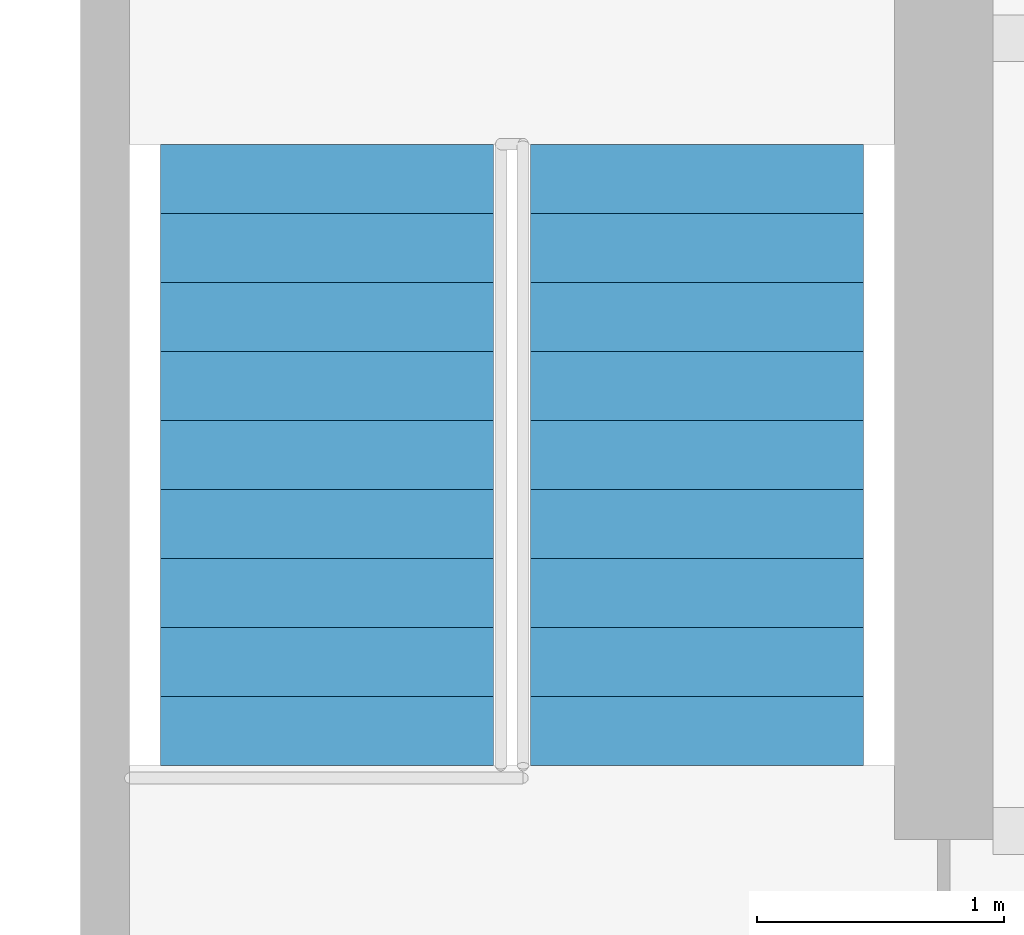
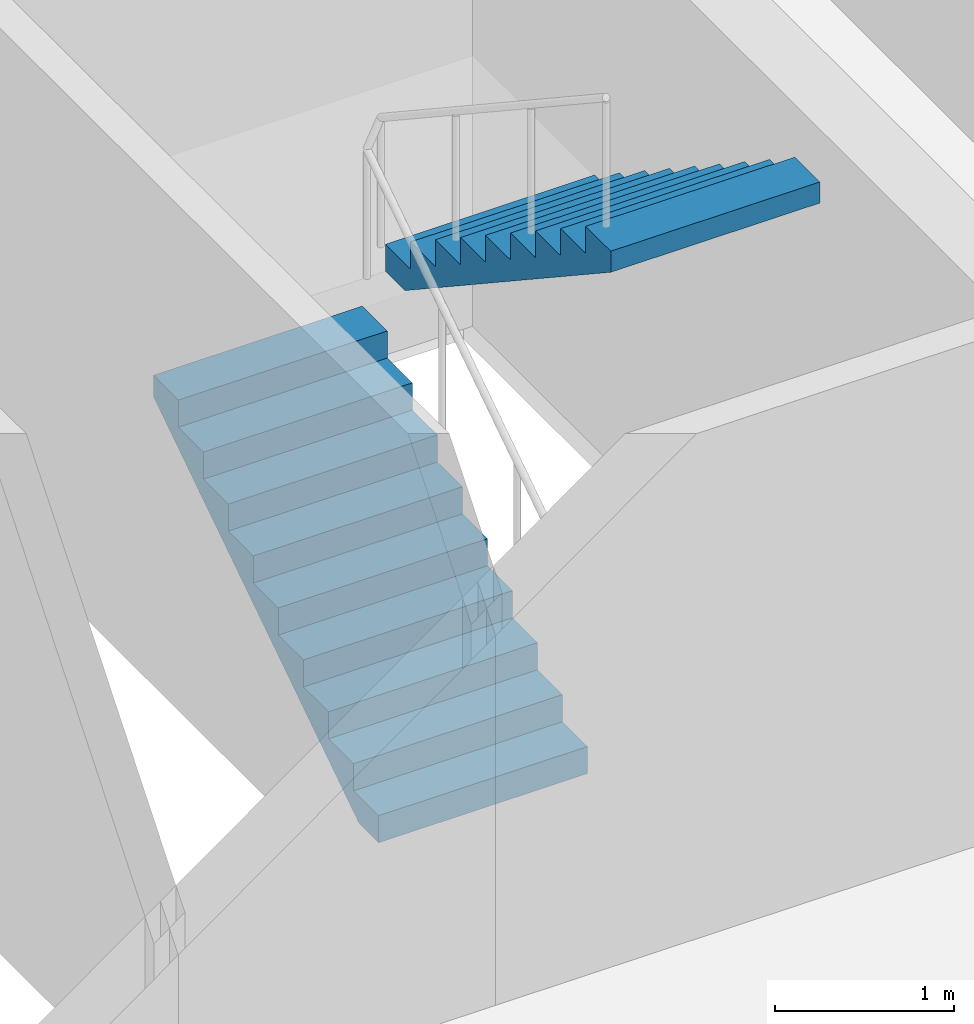
# One storey, part 8 of 9: 2 stair flights, 1 element without a shape of its own.
"""IFC4 building model written with IfcOpenShell, lengths in metres."""

from ifc_helpers import new_model, si_unit, direction, frame, origin, place, context, subcontext, project, spatial, polyline, outline, extrude, material, type_object, element, aggregate, save


model = new_model("IFC4")

# Units and contexts
model_context = context("Model", 3, precision=1e-05, world=origin(), true_north=direction((0.0, 1.0)))
body_context = subcontext(model_context, "Body", "Model", "MODEL_VIEW")
ifc_project = project(units=[si_unit("LENGTHUNIT", "METRE"), si_unit("AREAUNIT", "SQUARE_METRE"), si_unit("VOLUMEUNIT", "CUBIC_METRE"), si_unit("PLANEANGLEUNIT", "RADIAN"), si_unit("MASSUNIT", "GRAM", prefix="KILO")], contexts=[model_context])

# Site, building, storey
site_placement = place(None, origin())
site = spatial("IfcSite", under=ifc_project, at=site_placement, CompositionType="ELEMENT")
building_placement = place(site_placement, origin())
building = spatial("IfcBuilding", under=site, at=building_placement, Name="Quoin Convention Tower", CompositionType="ELEMENT")
storey_placement = place(building_placement, frame((0.0, 0.0, 260.0)))
storey = spatial("IfcBuildingStorey", under=building, at=storey_placement, Name="L68", CompositionType="ELEMENT", Elevation=260.0)

# Stair, stair flights
ifc_material = material(Name="Concrete C40", Category="concrete")
stair_type = type_object("IfcStairType", Name="Exit stair two-flight 1350", PredefinedType="HALF_TURN_STAIR", material=ifc_material)
stair_placement = place(storey_placement, origin())
stair = element("IfcStair", 1, at=stair_placement, inside=storey, type_object=stair_type, Name="SD2 L68", PredefinedType="HALF_TURN_STAIR")
stair_flight_type = type_object("IfcStairFlightType", Name="Stair flight 1350", PredefinedType="STRAIGHT", material=ifc_material)
stair_flight_1_placement = place(storey_placement, frame((64.800048828125, 57.800048828125, 0.0), z_axis=(0.0, 0.0, 1.0), x_axis=(0.0, 1.0, 0.0)))
stair_flight_1 = element("IfcStairFlight", 2, at=stair_flight_1_placement, type_object=stair_flight_type, Name="ST2 flight 1", NumberOfRisers=10, NumberOfTreads=9, PredefinedType="STRAIGHT", RiserHeight=0.185, TreadLength=0.28, context=body_context, shape_type="SweptSolid", body=[
    extrude(outline(polyline([(0.0, 0.0), (0.0, 0.18505859375), (0.280029296875, 0.18505859375), (0.280029296875, 0.3701171875), (0.56005859375, 0.3701171875), (0.56005859375, 0.554931640625), (0.840087890625, 0.554931640625), (0.840087890625, 0.739990234375), (1.1201171875, 0.739990234375), (1.1201171875, 0.925048828125), (1.39990234375, 0.925048828125), (1.39990234375, 1.110107421875), (1.679931640625, 1.110107421875), (1.679931640625, 1.294921875), (1.9599609375, 1.294921875), (1.9599609375, 1.47998046875), (2.239990234375, 1.47998046875), (2.239990234375, 1.6650390625), (2.52001953125, 1.6650390625), (2.52001953125, 1.85009765625), (2.52001953125, 1.52099609375), (0.218017578125, 0.0), (0.0, 0.0)])), frame((0.0, 0.675048828125, 0.0), z_axis=(0.0, -1.0, 0.0), x_axis=(1.0, 0.0, 0.0)), (0.0, 0.0, 1.0), 1.35009765625),
])
stair_flight_2_placement = place(storey_placement, frame((66.300048828125, 60.320068359375, 1.85009765625), z_axis=(0.0, 0.0, 1.0), x_axis=(0.0, -1.0, 0.0)))
stair_flight_2 = element("IfcStairFlight", 3, at=stair_flight_2_placement, type_object=stair_flight_type, Name="ST2 flight 2", NumberOfRisers=10, NumberOfTreads=9, PredefinedType="STRAIGHT", RiserHeight=0.185, TreadLength=0.28, context=body_context, shape_type="SweptSolid", body=[
    extrude(outline(polyline([(0.0, 0.0), (0.0, 0.18505859375), (0.280029296875, 0.18505859375), (0.280029296875, 0.3701171875), (0.56005859375, 0.3701171875), (0.56005859375, 0.554931640625), (0.840087890625, 0.554931640625), (0.840087890625, 0.739990234375), (1.1201171875, 0.739990234375), (1.1201171875, 0.925048828125), (1.39990234375, 0.925048828125), (1.39990234375, 1.110107421875), (1.679931640625, 1.110107421875), (1.679931640625, 1.294921875), (1.9599609375, 1.294921875), (1.9599609375, 1.47998046875), (2.239990234375, 1.47998046875), (2.239990234375, 1.6650390625), (2.52001953125, 1.6650390625), (2.52001953125, 1.85009765625), (2.52001953125, 1.52099609375), (0.218017578125, 0.0), (0.0, 0.0)])), frame((0.0, 0.675048828125, 0.0), z_axis=(0.0, -1.0, 0.0), x_axis=(1.0, 0.0, 0.0)), (0.0, 0.0, 1.0), 1.35009765625),
])
aggregate(stair, [stair_flight_1, stair_flight_2])

save(model, "model.ifc")
